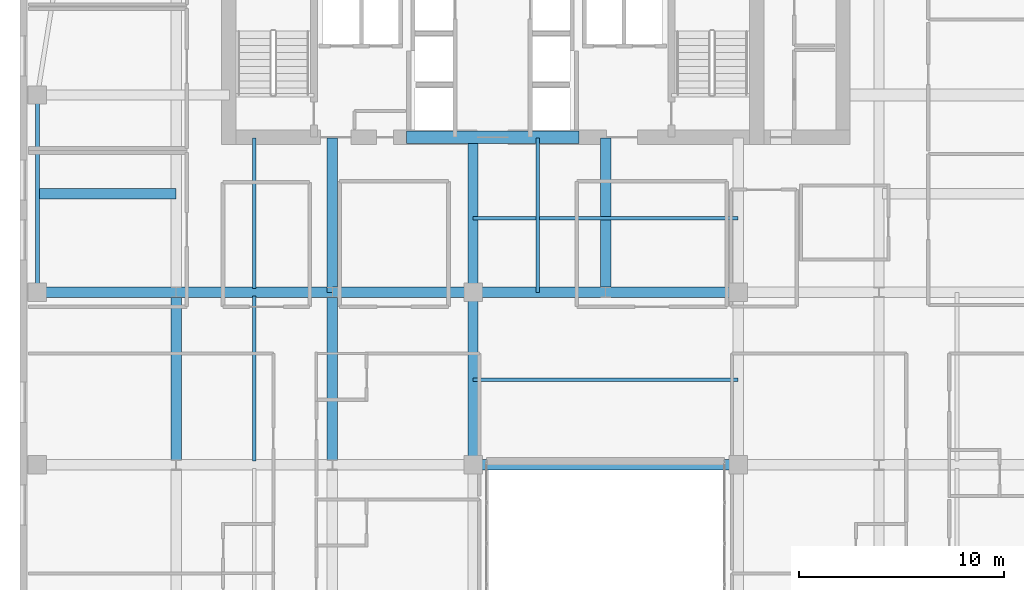
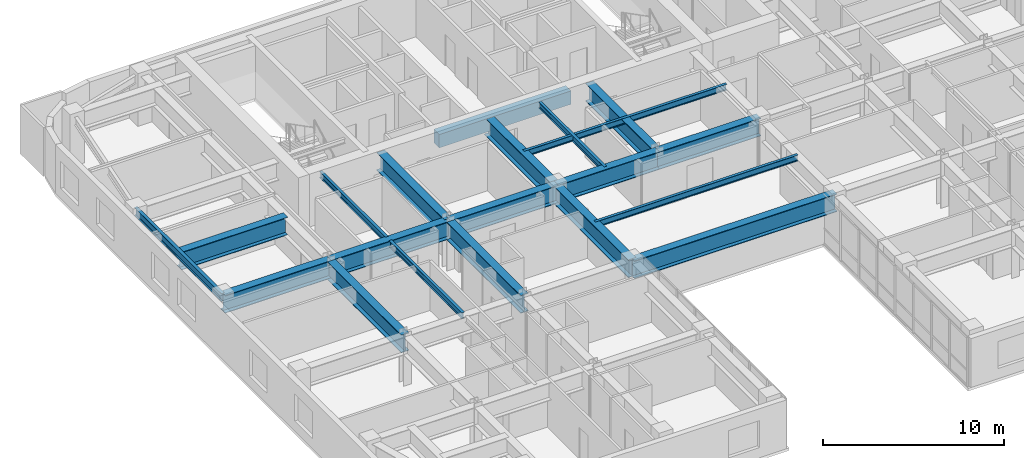
# One storey, part 4 of 15: 20 beams.
"""IFC4 building model written with IfcOpenShell, lengths in metres."""

from ifc_helpers import new_model, si_unit, direction, frame, origin, origin_2d, place, context, subcontext, project, spatial, rectangle, i_section, extrude, source, transform, mapped, material, material_profile, profile_set, type_object, type_shapes, element, save


model = new_model("IFC4")

# Units and contexts
model_context = context("Model", 3, precision=1e-05, world=origin(), true_north=direction((0.0, 1.0)))
body_context = subcontext(model_context, "Body", "Model", "MODEL_VIEW")
ifc_project = project(units=[si_unit("LENGTHUNIT", "METRE"), si_unit("AREAUNIT", "SQUARE_METRE"), si_unit("VOLUMEUNIT", "CUBIC_METRE"), si_unit("PLANEANGLEUNIT", "RADIAN"), si_unit("MASSUNIT", "GRAM", prefix="KILO")], contexts=[model_context])

# Site, building, storey
site_placement = place(None, origin())
site = spatial("IfcSite", under=ifc_project, at=site_placement, CompositionType="ELEMENT")
building_placement = place(site_placement, origin())
building = spatial("IfcBuilding", under=site, at=building_placement, Name="Tolvann Quenvar Hotel", CompositionType="ELEMENT")
storey_placement = place(building_placement, frame((0.0, 0.0, 143.5)))
storey = spatial("IfcBuildingStorey", under=building, at=storey_placement, Name="L37", CompositionType="ELEMENT", Elevation=143.5)

# Beams
ifc_material_1 = material(Name="Concrete N50 (50 MPa)", Category="concrete")
ifc_material_profile_1 = material_profile(ifc_material_1, rectangle(XDim=0.60009765625, YDim=0.89990234375, at=origin_2d()), Name="RC600x900")
ifc_profile_set_1 = profile_set([ifc_material_profile_1], Name="Concrete N50 (50 MPa)")
beam_type_1 = type_object("IfcBeamType", Name="BM_LINT_RC600x900", PredefinedType="LINTEL", material=ifc_profile_set_1)
shared_shape_1 = source(origin(), body_context, "Body", "SweptSolid", [
    extrude(rectangle(XDim=0.60009765625, YDim=0.89990234375, at=origin_2d()), origin(), (0.0, 0.0, 1.0), 8.39990234375),
])
type_shapes(beam_type_1, [shared_shape_1])
beam_1_placement = place(storey_placement, frame((18.800048828125, 31.949951171875, 2.840087890625), z_axis=(1.0, 0.0, 0.0), x_axis=(0.0, 1.0, 0.0)))
element("IfcBeam", 1, at=beam_1_placement, inside=storey, type_object=beam_type_1, Name="Core Coupling Lintel Beam (L37)", PredefinedType="LINTEL", context=body_context, shape_type="MappedRepresentation", body=[
    mapped(shared_shape_1, transform((0.0, 0.0, 0.0), x_axis=(1.0, 0.0, 0.0), y_axis=(0.0, 1.0, 0.0), z_axis=(0.0, 0.0, 1.0), scale=1.0)),
])
ifc_material_2 = material(Name="Steel Grade 350", Category="steel")
ifc_material_profile_2 = material_profile(ifc_material_2, i_section(OverallWidth=0.5, OverallDepth=1.199951171875, WebThickness=0.01611328125, FlangeThickness=0.0400390625, at=origin_2d()), Name="1200WB455")
ifc_profile_set_2 = profile_set([ifc_material_profile_2], Name="Steel Grade 350")
beam_type_2 = type_object("IfcBeamType", Name="BM_TG_1200WB455", PredefinedType="USERDEFINED", material=ifc_profile_set_2)
shared_shape_2 = source(origin(), body_context, "Body", "SweptSolid", [
    extrude(i_section(OverallWidth=0.5, OverallDepth=1.199951171875, WebThickness=0.01611328125, FlangeThickness=0.0400390625, at=origin_2d()), origin(), (0.0, 0.0, 1.0), 7.5),
])
for number, where, z_axis, x_axis, name in (
    (2, (15.199951171875, 24.39990234375, 2.68994140625), (0.0, 1.0, 0.0), (-1.0, 0.0, 0.0), "BM-L37-CORE-D5"),
    (3, (22.050048828125, 24.39990234375, 2.68994140625), (0.0, 1.0, 0.0), (-1.0, 0.0, 0.0), "BM-L37-CORE-E5"),
    (4, (28.5, 24.39990234375, 2.68994140625), (0.0, 1.0, 0.0), (-1.0, 0.0, 0.0), "BM-L37-CORE-M5"),
):
    element("IfcBeam", number, at=place(storey_placement, frame(where, z_axis=z_axis, x_axis=x_axis)), inside=storey, type_object=beam_type_2, Name=name, ObjectType="TRANSFER GIRDER", PredefinedType="USERDEFINED", context=body_context, shape_type="MappedRepresentation", body=[
        mapped(shared_shape_2, transform((0.0, 0.0, 0.0), x_axis=(1.0, 0.0, 0.0), y_axis=(0.0, 1.0, 0.0), z_axis=(0.0, 0.0, 1.0), scale=1.0)),
    ])
shared_shape_3 = source(origin(), body_context, "Body", "SweptSolid", [
    extrude(i_section(OverallWidth=0.5, OverallDepth=1.199951171875, WebThickness=0.01611328125, FlangeThickness=0.0400390625, at=origin_2d()), origin(), (0.0, 0.0, 1.0), 6.75),
])
for number, where, z_axis, x_axis, name in (
    (5, (0.85009765625, 24.39990234375, 2.68994140625), (1.0, 0.0, 0.0), (0.0, 1.0, 0.0), "TG-L37-W24"),
    (6, (0.85009765625, 29.199951171875, 2.68994140625), (1.0, 0.0, 0.0), (0.0, 1.0, 0.0), "BM-L37-EW-BC29"),
):
    element("IfcBeam", number, at=place(storey_placement, frame(where, z_axis=z_axis, x_axis=x_axis)), inside=storey, type_object=beam_type_2, Name=name, ObjectType="TRANSFER GIRDER", PredefinedType="USERDEFINED", context=body_context, shape_type="MappedRepresentation", body=[
        mapped(shared_shape_3, transform((0.0, 0.0, 0.0), x_axis=(1.0, 0.0, 0.0), y_axis=(0.0, 1.0, 0.0), z_axis=(0.0, 0.0, 1.0), scale=1.0)),
    ])
shared_shape_4 = source(origin(), body_context, "Body", "SweptSolid", [
    extrude(i_section(OverallWidth=0.5, OverallDepth=1.199951171875, WebThickness=0.01611328125, FlangeThickness=0.0400390625, at=origin_2d()), origin(), (0.0, 0.0, 1.0), 7.599853515625),
])
beam_2_placement = place(storey_placement, frame((7.60009765625, 24.39990234375, 2.68994140625), z_axis=(1.0, 0.0, 0.0), x_axis=(0.0, 1.0, 0.0)))
element("IfcBeam", 7, at=beam_2_placement, inside=storey, type_object=beam_type_2, Name="BM-L37-EW-5-C5-D5", ObjectType="TRANSFER GIRDER", PredefinedType="USERDEFINED", context=body_context, shape_type="MappedRepresentation", body=[
    mapped(shared_shape_4, transform((0.0, 0.0, 0.0), x_axis=(1.0, 0.0, 0.0), y_axis=(0.0, 1.0, 0.0), z_axis=(0.0, 0.0, 1.0), scale=1.0)),
])
shared_shape_5 = source(origin(), body_context, "Body", "SweptSolid", [
    extrude(i_section(OverallWidth=0.5, OverallDepth=1.199951171875, WebThickness=0.01611328125, FlangeThickness=0.0400390625, at=origin_2d()), origin(), (0.0, 0.0, 1.0), 6.449951171875),
])
for number, where, z_axis, x_axis, name in (
    (8, (22.050048828125, 24.39990234375, 2.68994140625), (1.0, 0.0, 0.0), (0.0, 1.0, 0.0), "BM-L37-EW-5-E5-M5"),
    (9, (28.5, 24.39990234375, 2.68994140625), (1.0, 0.0, 0.0), (0.0, 1.0, 0.0), "BM-L37-EW-5-M5-F5"),
):
    element("IfcBeam", number, at=place(storey_placement, frame(where, z_axis=z_axis, x_axis=x_axis)), inside=storey, type_object=beam_type_2, Name=name, ObjectType="TRANSFER GIRDER", PredefinedType="USERDEFINED", context=body_context, shape_type="MappedRepresentation", body=[
        mapped(shared_shape_5, transform((0.0, 0.0, 0.0), x_axis=(1.0, 0.0, 0.0), y_axis=(0.0, 1.0, 0.0), z_axis=(0.0, 0.0, 1.0), scale=1.0)),
    ])
ifc_material_profile_3 = material_profile(ifc_material_2, i_section(OverallWidth=0.208984375, OverallDepth=0.528076171875, WebThickness=0.009521484375, FlangeThickness=0.01318359375, FilletRadius=0.013916015625, at=origin_2d()), Name="530UB82")
ifc_profile_set_3 = profile_set([ifc_material_profile_3], Name="Steel Grade 350")
beam_type_3 = type_object("IfcBeamType", Name="BM_SPAND_530UB82", PredefinedType="SPANDREL", material=ifc_profile_set_3)
shared_shape_6 = source(origin(), body_context, "Body", "SweptSolid", [
    extrude(i_section(OverallWidth=0.208984375, OverallDepth=0.528076171875, WebThickness=0.009521484375, FlangeThickness=0.01318359375, FilletRadius=0.013916015625, at=origin_2d()), origin(), (0.0, 0.0, 1.0), 9.60009765625),
])
type_shapes(beam_type_3, [shared_shape_6])
beam_3_placement = place(storey_placement, frame((0.85009765625, 24.39990234375, 3.02587890625), z_axis=(0.0, 1.0, 0.0), x_axis=(-1.0, 0.0, 0.0)))
element("IfcBeam", 10, at=beam_3_placement, inside=storey, type_object=beam_type_3, Name="BM-L37-FLK-W1", PredefinedType="SPANDREL", context=body_context, shape_type="MappedRepresentation", body=[
    mapped(shared_shape_6, transform((0.0, 0.0, 0.0), x_axis=(1.0, 0.0, 0.0), y_axis=(0.0, 1.0, 0.0), z_axis=(0.0, 0.0, 1.0), scale=1.0)),
])
ifc_material_profile_4 = material_profile(ifc_material_2, i_section(OverallWidth=0.177978515625, OverallDepth=0.406005859375, WebThickness=0.0078125, FlangeThickness=0.0126953125, FilletRadius=0.011474609375, at=origin_2d()), Name="410UB60")
ifc_profile_set_4 = profile_set([ifc_material_profile_4], Name="Steel Grade 350")
beam_type_4 = type_object("IfcBeamType", Name="BM_JOIST_410UB60", PredefinedType="JOIST", material=ifc_profile_set_4)
shared_shape_7 = source(origin(), body_context, "Body", "SweptSolid", [
    extrude(i_section(OverallWidth=0.177978515625, OverallDepth=0.406005859375, WebThickness=0.0078125, FlangeThickness=0.0126953125, FilletRadius=0.011474609375, at=origin_2d()), origin(), (0.0, 0.0, 1.0), 12.89990234375),
])
for number, where, z_axis, x_axis, name in (
    (11, (22.050048828125, 20.14990234375, 3.0869140625), (1.0, 0.0, 0.0), (0.0, 1.0, 0.0), "BM-L37-SPINE-20"),
    (12, (22.050048828125, 28.0, 3.0869140625), (1.0, 0.0, 0.0), (0.0, 1.0, 0.0), "BM-L37-SPINE-28"),
):
    element("IfcBeam", number, at=place(storey_placement, frame(where, z_axis=z_axis, x_axis=x_axis)), inside=storey, type_object=beam_type_4, Name=name, PredefinedType="JOIST", context=body_context, shape_type="MappedRepresentation", body=[
        mapped(shared_shape_7, transform((0.0, 0.0, 0.0), x_axis=(1.0, 0.0, 0.0), y_axis=(0.0, 1.0, 0.0), z_axis=(0.0, 0.0, 1.0), scale=1.0)),
    ])
shared_shape_8 = source(origin(), body_context, "Body", "SweptSolid", [
    extrude(i_section(OverallWidth=0.177978515625, OverallDepth=0.406005859375, WebThickness=0.0078125, FlangeThickness=0.0126953125, FilletRadius=0.011474609375, at=origin_2d()), origin(), (0.0, 0.0, 1.0), 7.5),
])
beam_4_placement = place(storey_placement, frame((25.199951171875, 24.39990234375, 3.0869140625), z_axis=(0.0, 1.0, 0.0), x_axis=(-1.0, 0.0, 0.0)))
element("IfcBeam", 13, at=beam_4_placement, inside=storey, type_object=beam_type_4, Name="BJ-L37-252-244", PredefinedType="JOIST", context=body_context, shape_type="MappedRepresentation", body=[
    mapped(shared_shape_8, transform((0.0, 0.0, 0.0), x_axis=(1.0, 0.0, 0.0), y_axis=(0.0, 1.0, 0.0), z_axis=(0.0, 0.0, 1.0), scale=1.0)),
])
shared_shape_9 = source(origin(), body_context, "Body", "SweptSolid", [
    extrude(i_section(OverallWidth=0.5, OverallDepth=1.199951171875, WebThickness=0.01611328125, FlangeThickness=0.0400390625, at=origin_2d()), origin(), (0.0, 0.0, 1.0), 6.85009765625),
])
beam_5_placement = place(storey_placement, frame((15.199951171875, 24.39990234375, 2.68994140625), z_axis=(1.0, 0.0, 0.0), x_axis=(0.0, 1.0, 0.0)))
element("IfcBeam", 14, at=beam_5_placement, inside=storey, type_object=beam_type_2, Name="BM-L37-EW-5-D5-E5", ObjectType="TRANSFER GIRDER", PredefinedType="USERDEFINED", context=body_context, shape_type="MappedRepresentation", body=[
    mapped(shared_shape_9, transform((0.0, 0.0, 0.0), x_axis=(1.0, 0.0, 0.0), y_axis=(0.0, 1.0, 0.0), z_axis=(0.0, 0.0, 1.0), scale=1.0)),
])
shared_shape_10 = source(origin(), body_context, "Body", "SweptSolid", [
    extrude(i_section(OverallWidth=0.5, OverallDepth=1.199951171875, WebThickness=0.01611328125, FlangeThickness=0.0400390625, at=origin_2d()), origin(), (0.0, 0.0, 1.0), 12.89990234375),
])
beam_6_placement = place(storey_placement, frame((22.050048828125, 16.0, 2.68994140625), z_axis=(1.0, 0.0, 0.0), x_axis=(0.0, 1.0, 0.0)))
element("IfcBeam", 15, at=beam_6_placement, inside=storey, type_object=beam_type_2, Name="BM-L37-EW-4-E4-F4", ObjectType="TRANSFER GIRDER", PredefinedType="USERDEFINED", context=body_context, shape_type="MappedRepresentation", body=[
    mapped(shared_shape_10, transform((0.0, 0.0, 0.0), x_axis=(1.0, 0.0, 0.0), y_axis=(0.0, 1.0, 0.0), z_axis=(0.0, 0.0, 1.0), scale=1.0)),
])
shared_shape_11 = source(origin(), body_context, "Body", "SweptSolid", [
    extrude(i_section(OverallWidth=0.5, OverallDepth=1.199951171875, WebThickness=0.01611328125, FlangeThickness=0.0400390625, at=origin_2d()), origin(), (0.0, 0.0, 1.0), 8.39990234375),
])
type_shapes(beam_type_2, [shared_shape_2, shared_shape_3, shared_shape_4, shared_shape_5, shared_shape_9, shared_shape_10, shared_shape_11])
for number, where, z_axis, x_axis, name in (
    (16, (7.60009765625, 16.0, 2.68994140625), (0.0, 1.0, 0.0), (-1.0, 0.0, 0.0), "BM-L37-NS-C4-C5"),
    (17, (15.199951171875, 16.0, 2.68994140625), (0.0, 1.0, 0.0), (-1.0, 0.0, 0.0), "BM-L37-NS-D4-D5"),
    (18, (22.050048828125, 16.0, 2.68994140625), (0.0, 1.0, 0.0), (-1.0, 0.0, 0.0), "BM-L37-NS-E4-E5"),
):
    element("IfcBeam", number, at=place(storey_placement, frame(where, z_axis=z_axis, x_axis=x_axis)), inside=storey, type_object=beam_type_2, Name=name, ObjectType="TRANSFER GIRDER", PredefinedType="USERDEFINED", context=body_context, shape_type="MappedRepresentation", body=[
        mapped(shared_shape_11, transform((0.0, 0.0, 0.0), x_axis=(1.0, 0.0, 0.0), y_axis=(0.0, 1.0, 0.0), z_axis=(0.0, 0.0, 1.0), scale=1.0)),
    ])
shared_shape_12 = source(origin(), body_context, "Body", "SweptSolid", [
    extrude(i_section(OverallWidth=0.177978515625, OverallDepth=0.406005859375, WebThickness=0.0078125, FlangeThickness=0.0126953125, FilletRadius=0.011474609375, at=origin_2d()), origin(), (0.0, 0.0, 1.0), 8.030029296875),
])
beam_7_placement = place(storey_placement, frame((11.39990234375, 16.18505859375, 3.0869140625), z_axis=(0.0, 1.0, 0.0), x_axis=(-1.0, 0.0, 0.0)))
element("IfcBeam", 19, at=beam_7_placement, inside=storey, type_object=beam_type_4, Name="BJ-L37-114-160", PredefinedType="JOIST", context=body_context, shape_type="MappedRepresentation", body=[
    mapped(shared_shape_12, transform((0.0, 0.0, 0.0), x_axis=(1.0, 0.0, 0.0), y_axis=(0.0, 1.0, 0.0), z_axis=(0.0, 0.0, 1.0), scale=1.0)),
])
shared_shape_13 = source(origin(), body_context, "Body", "SweptSolid", [
    extrude(i_section(OverallWidth=0.177978515625, OverallDepth=0.406005859375, WebThickness=0.0078125, FlangeThickness=0.0126953125, FilletRadius=0.011474609375, at=origin_2d()), origin(), (0.0, 0.0, 1.0), 7.31494140625),
])
type_shapes(beam_type_4, [shared_shape_7, shared_shape_8, shared_shape_12, shared_shape_13])
beam_8_placement = place(storey_placement, frame((11.39990234375, 24.5849609375, 3.0869140625), z_axis=(0.0, 1.0, 0.0), x_axis=(-1.0, 0.0, 0.0)))
element("IfcBeam", 20, at=beam_8_placement, inside=storey, type_object=beam_type_4, Name="BJ-L37-114-244", PredefinedType="JOIST", context=body_context, shape_type="MappedRepresentation", body=[
    mapped(shared_shape_13, transform((0.0, 0.0, 0.0), x_axis=(1.0, 0.0, 0.0), y_axis=(0.0, 1.0, 0.0), z_axis=(0.0, 0.0, 1.0), scale=1.0)),
])

save(model, "model.ifc")
